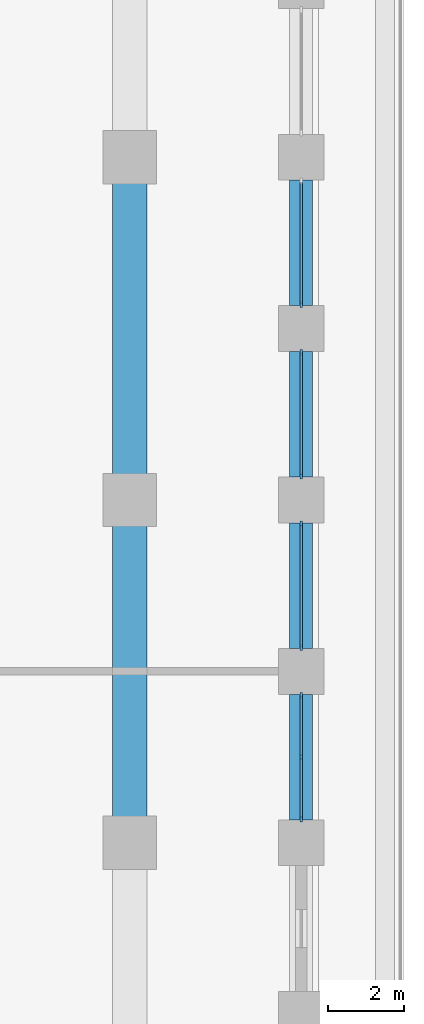
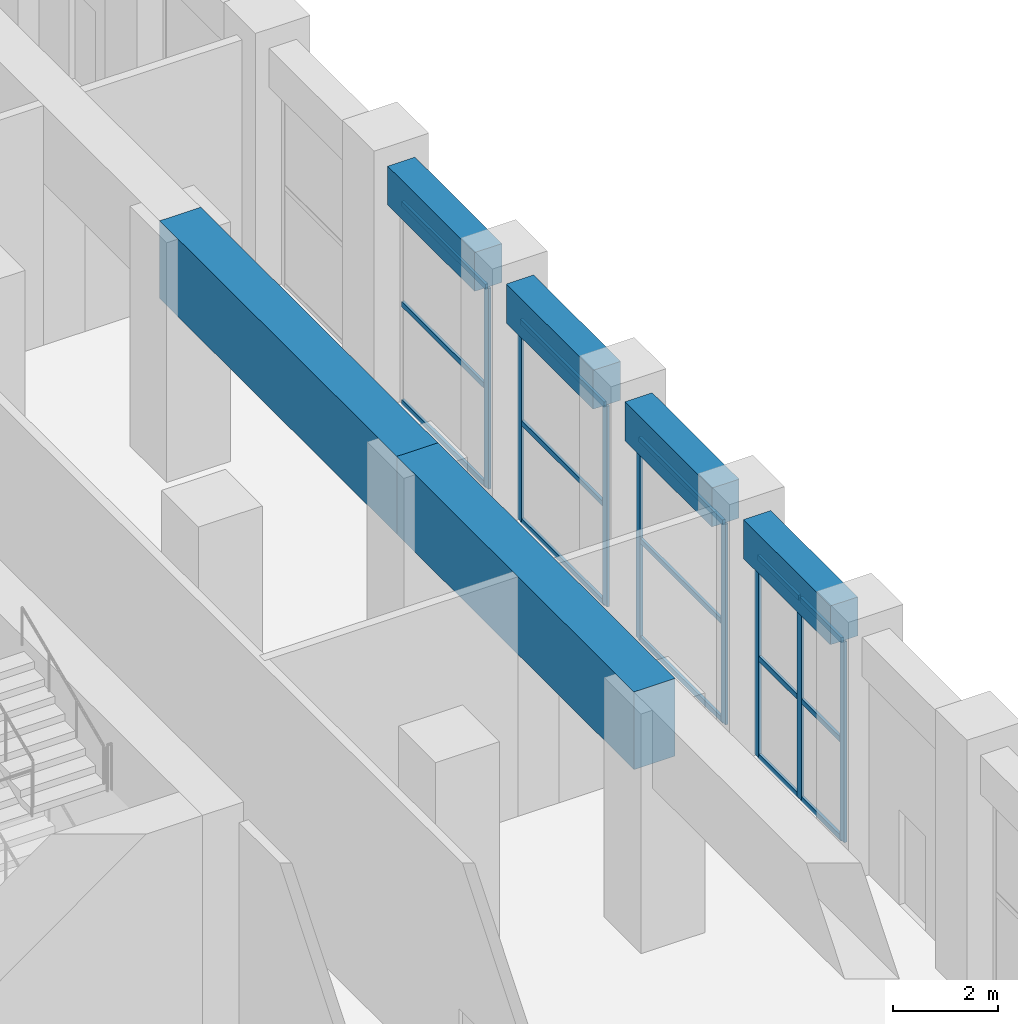
# One storey, part 5 of 24: 23 members, 6 beams, 4 elements without a shape of their own.
"""IFC4 building model written with IfcOpenShell, lengths in metres."""

from ifc_helpers import new_model, si_unit, direction, frame, origin, origin_2d, place, context, subcontext, project, spatial, rectangle, extrude, material, material_profile, profile_set, type_object, element, aggregate, save


model = new_model("IFC4")

# Units and contexts
model_context = context("Model", 3, precision=1e-05, world=origin(), true_north=direction((0.0, 1.0)))
body_context = subcontext(model_context, "Body", "Model", "MODEL_VIEW")
ifc_project = project(units=[si_unit("LENGTHUNIT", "METRE"), si_unit("AREAUNIT", "SQUARE_METRE"), si_unit("VOLUMEUNIT", "CUBIC_METRE"), si_unit("PLANEANGLEUNIT", "RADIAN"), si_unit("MASSUNIT", "GRAM", prefix="KILO")], contexts=[model_context])

# Site, building, storey
site_placement = place(None, origin())
site = spatial("IfcSite", under=ifc_project, at=site_placement, CompositionType="ELEMENT")
building_placement = place(site_placement, origin())
building = spatial("IfcBuilding", under=site, at=building_placement, Name="Corbel Stack Research Tower", CompositionType="ELEMENT")
storey_placement = place(building_placement, frame((0.0, 0.0, 110.699951171875)))
storey = spatial("IfcBuildingStorey", under=building, at=storey_placement, Name="L25", CompositionType="ELEMENT", Elevation=110.699951171875)

# Curtain wall, members
ifc_material_1 = material(Name="Aluminium frame, clear glass", Category="aluminium")
curtain_wall_type = type_object("IfcCurtainWallType", Name="Amenity floor curtain wall CW2", PredefinedType="NOTDEFINED", material=ifc_material_1)
curtain_wall_1_placement = place(storey_placement, origin())
curtain_wall_1 = element("IfcCurtainWall", 1, at=curtain_wall_1_placement, inside=storey, type_object=curtain_wall_type, Name="Curtain wall CW2 L25 E03", PredefinedType="NOTDEFINED")
ifc_material_2 = material(Name="Aluminium mullion", Category="aluminium")
ifc_material_profile_1 = material_profile(ifc_material_2, rectangle(XDim=0.06005859375, YDim=0.159912109375, at=origin_2d()), Name="Mullion 60 x 160")
ifc_profile_set_1 = profile_set([ifc_material_profile_1], Name="Aluminium mullion")
member_type_1 = type_object("IfcMemberType", Name="Curtain wall mullion 60 x 160", PredefinedType="MULLION", material=ifc_profile_set_1)
member_1_placement = place(storey_placement, frame((31.5, -8.3701171875, 0.0), z_axis=(0.0, 0.0, 1.0), x_axis=(-1.0, 0.0, 0.0)))
member_1 = element("IfcMember", 2, at=member_1_placement, type_object=member_type_1, Name="CW2 L25 E03 mullion 1", PredefinedType="MULLION", context=body_context, shape_type="SweptSolid", body=[
    extrude(rectangle(XDim=0.06005859375, YDim=0.159912109375, at=origin_2d()), origin(), (0.0, 0.0, 1.0), 4.650146484375),
])
member_2_placement = place(storey_placement, frame((31.5, -6.75, 0.0), z_axis=(0.0, 0.0, 1.0), x_axis=(-1.0, 0.0, 0.0)))
member_2 = element("IfcMember", 3, at=member_2_placement, type_object=member_type_1, Name="CW2 L25 E03 mullion 2", PredefinedType="MULLION", context=body_context, shape_type="SweptSolid", body=[
    extrude(rectangle(XDim=0.06005859375, YDim=0.159912109375, at=origin_2d()), origin(), (0.0, 0.0, 1.0), 4.650146484375),
])
member_3_placement = place(storey_placement, frame((31.5, -5.1298828125, 0.0), z_axis=(0.0, 0.0, 1.0), x_axis=(-1.0, 0.0, 0.0)))
member_3 = element("IfcMember", 4, at=member_3_placement, type_object=member_type_1, Name="CW2 L25 E03 mullion 3", PredefinedType="MULLION", context=body_context, shape_type="SweptSolid", body=[
    extrude(rectangle(XDim=0.06005859375, YDim=0.159912109375, at=origin_2d()), origin(), (0.0, 0.0, 1.0), 4.650146484375),
])

curtain_wall_2_placement = place(storey_placement, origin())
curtain_wall_2 = element("IfcCurtainWall", 5, at=curtain_wall_2_placement, inside=storey, type_object=curtain_wall_type, Name="Curtain wall CW2 L25 E04", PredefinedType="NOTDEFINED")
member_4_placement = place(storey_placement, frame((31.5, -3.8701171875, 0.0), z_axis=(0.0, 0.0, 1.0), x_axis=(-1.0, 0.0, 0.0)))
member_4 = element("IfcMember", 6, at=member_4_placement, type_object=member_type_1, Name="CW2 L25 E04 mullion 1", PredefinedType="MULLION", context=body_context, shape_type="SweptSolid", body=[
    extrude(rectangle(XDim=0.06005859375, YDim=0.159912109375, at=origin_2d()), origin(), (0.0, 0.0, 1.0), 4.650146484375),
])
member_5_placement = place(storey_placement, frame((31.5, -0.6298828125, 0.0), z_axis=(0.0, 0.0, 1.0), x_axis=(-1.0, 0.0, 0.0)))
member_5 = element("IfcMember", 7, at=member_5_placement, type_object=member_type_1, Name="CW2 L25 E04 mullion 2", PredefinedType="MULLION", context=body_context, shape_type="SweptSolid", body=[
    extrude(rectangle(XDim=0.06005859375, YDim=0.159912109375, at=origin_2d()), origin(), (0.0, 0.0, 1.0), 4.650146484375),
])

curtain_wall_3_placement = place(storey_placement, origin())
curtain_wall_3 = element("IfcCurtainWall", 8, at=curtain_wall_3_placement, inside=storey, type_object=curtain_wall_type, Name="Curtain wall CW2 L25 E05", PredefinedType="NOTDEFINED")
member_6_placement = place(storey_placement, frame((31.5, 0.6298828125, 0.0), z_axis=(0.0, 0.0, 1.0), x_axis=(-1.0, 0.0, 0.0)))
member_6 = element("IfcMember", 9, at=member_6_placement, type_object=member_type_1, Name="CW2 L25 E05 mullion 1", PredefinedType="MULLION", context=body_context, shape_type="SweptSolid", body=[
    extrude(rectangle(XDim=0.06005859375, YDim=0.159912109375, at=origin_2d()), origin(), (0.0, 0.0, 1.0), 4.650146484375),
])
member_7_placement = place(storey_placement, frame((31.5, 3.8701171875, 0.0), z_axis=(0.0, 0.0, 1.0), x_axis=(-1.0, 0.0, 0.0)))
member_7 = element("IfcMember", 10, at=member_7_placement, type_object=member_type_1, Name="CW2 L25 E05 mullion 2", PredefinedType="MULLION", context=body_context, shape_type="SweptSolid", body=[
    extrude(rectangle(XDim=0.06005859375, YDim=0.159912109375, at=origin_2d()), origin(), (0.0, 0.0, 1.0), 4.650146484375),
])

# Curtain wall, member
curtain_wall_4_placement = place(storey_placement, origin())
curtain_wall_4 = element("IfcCurtainWall", 11, at=curtain_wall_4_placement, inside=storey, type_object=curtain_wall_type, Name="Curtain wall CW2 L25 E06", PredefinedType="NOTDEFINED")
member_8_placement = place(storey_placement, frame((31.5, 5.1298828125, 0.0), z_axis=(0.0, 0.0, 1.0), x_axis=(-1.0, 0.0, 0.0)))
member_8 = element("IfcMember", 12, at=member_8_placement, type_object=member_type_1, Name="CW2 L25 E06 mullion 1", PredefinedType="MULLION", context=body_context, shape_type="SweptSolid", body=[
    extrude(rectangle(XDim=0.06005859375, YDim=0.159912109375, at=origin_2d()), origin(), (0.0, 0.0, 1.0), 4.650146484375),
])

# Member
ifc_material_3 = material(Name="Aluminium transom", Category="aluminium")
ifc_material_profile_2 = material_profile(ifc_material_3, rectangle(XDim=0.06005859375, YDim=0.1201171875, at=origin_2d()), Name="Transom 60 x 120")
ifc_profile_set_2 = profile_set([ifc_material_profile_2], Name="Aluminium transom")
member_type_2 = type_object("IfcMemberType", Name="Curtain wall transom 60 x 120", PredefinedType="USERDEFINED", material=ifc_profile_set_2)
member_9_placement = place(storey_placement, frame((31.5, -8.340087890625, 0.030029296875), z_axis=(0.0, 1.0, 0.0), x_axis=(-1.0, 0.0, 0.0)))
member_9 = element("IfcMember", 13, at=member_9_placement, type_object=member_type_2, Name="CW2 L25 E03 transom 1.1", ObjectType="TRANSOM", PredefinedType="USERDEFINED", context=body_context, shape_type="SweptSolid", body=[
    extrude(rectangle(XDim=0.06005859375, YDim=0.1201171875, at=origin_2d()), origin(), (0.0, 0.0, 1.0), 1.56005859375),
])

member_10_placement = place(storey_placement, frame((31.5, -8.340087890625, 2.300048828125), z_axis=(0.0, 1.0, 0.0), x_axis=(-1.0, 0.0, 0.0)))
member_10 = element("IfcMember", 14, at=member_10_placement, type_object=member_type_2, Name="CW2 L25 E03 transom 1.2", ObjectType="TRANSOM", PredefinedType="USERDEFINED", context=body_context, shape_type="SweptSolid", body=[
    extrude(rectangle(XDim=0.06005859375, YDim=0.1201171875, at=origin_2d()), origin(), (0.0, 0.0, 1.0), 1.56005859375),
])

member_11_placement = place(storey_placement, frame((31.5, -8.340087890625, 4.6201171875), z_axis=(0.0, 1.0, 0.0), x_axis=(-1.0, 0.0, 0.0)))
member_11 = element("IfcMember", 15, at=member_11_placement, type_object=member_type_2, Name="CW2 L25 E03 transom 1.3", ObjectType="TRANSOM", PredefinedType="USERDEFINED", context=body_context, shape_type="SweptSolid", body=[
    extrude(rectangle(XDim=0.06005859375, YDim=0.1201171875, at=origin_2d()), origin(), (0.0, 0.0, 1.0), 1.56005859375),
])

member_12_placement = place(storey_placement, frame((31.5, -6.719970703125, 0.030029296875), z_axis=(0.0, 1.0, 0.0), x_axis=(-1.0, 0.0, 0.0)))
member_12 = element("IfcMember", 16, at=member_12_placement, type_object=member_type_2, Name="CW2 L25 E03 transom 2.1", ObjectType="TRANSOM", PredefinedType="USERDEFINED", context=body_context, shape_type="SweptSolid", body=[
    extrude(rectangle(XDim=0.06005859375, YDim=0.1201171875, at=origin_2d()), origin(), (0.0, 0.0, 1.0), 1.56005859375),
])

member_13_placement = place(storey_placement, frame((31.5, -6.719970703125, 2.300048828125), z_axis=(0.0, 1.0, 0.0), x_axis=(-1.0, 0.0, 0.0)))
member_13 = element("IfcMember", 17, at=member_13_placement, type_object=member_type_2, Name="CW2 L25 E03 transom 2.2", ObjectType="TRANSOM", PredefinedType="USERDEFINED", context=body_context, shape_type="SweptSolid", body=[
    extrude(rectangle(XDim=0.06005859375, YDim=0.1201171875, at=origin_2d()), origin(), (0.0, 0.0, 1.0), 1.56005859375),
])

member_14_placement = place(storey_placement, frame((31.5, -6.719970703125, 4.6201171875), z_axis=(0.0, 1.0, 0.0), x_axis=(-1.0, 0.0, 0.0)))
member_14 = element("IfcMember", 18, at=member_14_placement, type_object=member_type_2, Name="CW2 L25 E03 transom 2.3", ObjectType="TRANSOM", PredefinedType="USERDEFINED", context=body_context, shape_type="SweptSolid", body=[
    extrude(rectangle(XDim=0.06005859375, YDim=0.1201171875, at=origin_2d()), origin(), (0.0, 0.0, 1.0), 1.56005859375),
])

aggregate(curtain_wall_1, [member_1, member_2, member_3, member_9, member_10, member_11, member_12, member_13, member_14])

member_15_placement = place(storey_placement, frame((31.5, -3.840087890625, 0.030029296875), z_axis=(0.0, 1.0, 0.0), x_axis=(-1.0, 0.0, 0.0)))
member_15 = element("IfcMember", 19, at=member_15_placement, type_object=member_type_2, Name="CW2 L25 E04 transom 1.1", ObjectType="TRANSOM", PredefinedType="USERDEFINED", context=body_context, shape_type="SweptSolid", body=[
    extrude(rectangle(XDim=0.06005859375, YDim=0.1201171875, at=origin_2d()), origin(), (0.0, 0.0, 1.0), 3.18017578125),
])

member_16_placement = place(storey_placement, frame((31.5, -3.840087890625, 2.300048828125), z_axis=(0.0, 1.0, 0.0), x_axis=(-1.0, 0.0, 0.0)))
member_16 = element("IfcMember", 20, at=member_16_placement, type_object=member_type_2, Name="CW2 L25 E04 transom 1.2", ObjectType="TRANSOM", PredefinedType="USERDEFINED", context=body_context, shape_type="SweptSolid", body=[
    extrude(rectangle(XDim=0.06005859375, YDim=0.1201171875, at=origin_2d()), origin(), (0.0, 0.0, 1.0), 3.18017578125),
])

member_17_placement = place(storey_placement, frame((31.5, -3.840087890625, 4.6201171875), z_axis=(0.0, 1.0, 0.0), x_axis=(-1.0, 0.0, 0.0)))
member_17 = element("IfcMember", 21, at=member_17_placement, type_object=member_type_2, Name="CW2 L25 E04 transom 1.3", ObjectType="TRANSOM", PredefinedType="USERDEFINED", context=body_context, shape_type="SweptSolid", body=[
    extrude(rectangle(XDim=0.06005859375, YDim=0.1201171875, at=origin_2d()), origin(), (0.0, 0.0, 1.0), 3.18017578125),
])

aggregate(curtain_wall_2, [member_4, member_5, member_15, member_16, member_17])

member_18_placement = place(storey_placement, frame((31.5, 0.659912109375, 0.030029296875), z_axis=(0.0, 1.0, 0.0), x_axis=(-1.0, 0.0, 0.0)))
member_18 = element("IfcMember", 22, at=member_18_placement, type_object=member_type_2, Name="CW2 L25 E05 transom 1.1", ObjectType="TRANSOM", PredefinedType="USERDEFINED", context=body_context, shape_type="SweptSolid", body=[
    extrude(rectangle(XDim=0.06005859375, YDim=0.1201171875, at=origin_2d()), origin(), (0.0, 0.0, 1.0), 3.18017578125),
])

member_19_placement = place(storey_placement, frame((31.5, 0.659912109375, 2.300048828125), z_axis=(0.0, 1.0, 0.0), x_axis=(-1.0, 0.0, 0.0)))
member_19 = element("IfcMember", 23, at=member_19_placement, type_object=member_type_2, Name="CW2 L25 E05 transom 1.2", ObjectType="TRANSOM", PredefinedType="USERDEFINED", context=body_context, shape_type="SweptSolid", body=[
    extrude(rectangle(XDim=0.06005859375, YDim=0.1201171875, at=origin_2d()), origin(), (0.0, 0.0, 1.0), 3.18017578125),
])

member_20_placement = place(storey_placement, frame((31.5, 0.659912109375, 4.6201171875), z_axis=(0.0, 1.0, 0.0), x_axis=(-1.0, 0.0, 0.0)))
member_20 = element("IfcMember", 24, at=member_20_placement, type_object=member_type_2, Name="CW2 L25 E05 transom 1.3", ObjectType="TRANSOM", PredefinedType="USERDEFINED", context=body_context, shape_type="SweptSolid", body=[
    extrude(rectangle(XDim=0.06005859375, YDim=0.1201171875, at=origin_2d()), origin(), (0.0, 0.0, 1.0), 3.18017578125),
])

aggregate(curtain_wall_3, [member_6, member_7, member_18, member_19, member_20])

member_21_placement = place(storey_placement, frame((31.5, 5.159912109375, 0.030029296875), z_axis=(0.0, 1.0, 0.0), x_axis=(-1.0, 0.0, 0.0)))
member_21 = element("IfcMember", 25, at=member_21_placement, type_object=member_type_2, Name="CW2 L25 E06 transom 1.1", ObjectType="TRANSOM", PredefinedType="USERDEFINED", context=body_context, shape_type="SweptSolid", body=[
    extrude(rectangle(XDim=0.06005859375, YDim=0.1201171875, at=origin_2d()), origin(), (0.0, 0.0, 1.0), 3.18017578125),
])

member_22_placement = place(storey_placement, frame((31.5, 5.159912109375, 2.300048828125), z_axis=(0.0, 1.0, 0.0), x_axis=(-1.0, 0.0, 0.0)))
member_22 = element("IfcMember", 26, at=member_22_placement, type_object=member_type_2, Name="CW2 L25 E06 transom 1.2", ObjectType="TRANSOM", PredefinedType="USERDEFINED", context=body_context, shape_type="SweptSolid", body=[
    extrude(rectangle(XDim=0.06005859375, YDim=0.1201171875, at=origin_2d()), origin(), (0.0, 0.0, 1.0), 3.18017578125),
])

member_23_placement = place(storey_placement, frame((31.5, 5.159912109375, 4.6201171875), z_axis=(0.0, 1.0, 0.0), x_axis=(-1.0, 0.0, 0.0)))
member_23 = element("IfcMember", 27, at=member_23_placement, type_object=member_type_2, Name="CW2 L25 E06 transom 1.3", ObjectType="TRANSOM", PredefinedType="USERDEFINED", context=body_context, shape_type="SweptSolid", body=[
    extrude(rectangle(XDim=0.06005859375, YDim=0.1201171875, at=origin_2d()), origin(), (0.0, 0.0, 1.0), 3.18017578125),
])

aggregate(curtain_wall_4, [member_8, member_21, member_22, member_23])

# Beams
ifc_material_4 = material(Name="Concrete C60/75", Category="concrete")
ifc_material_profile_3 = material_profile(ifc_material_4, rectangle(XDim=0.60009765625, YDim=0.89990234375, at=origin_2d()), Name="RC 600 x 900")
ifc_profile_set_3 = profile_set([ifc_material_profile_3], Name="Concrete C60/75")
beam_type_1 = type_object("IfcBeamType", Name="SB-600-900-450", PredefinedType="SPANDREL", material=ifc_profile_set_3)
for number, where, z_axis, x_axis, name in (
    (28, (31.5, -8.39990234375, 5.10009765625), (0.0, 1.0, 0.0), (-1.0, 0.0, 0.0), "Spandrel beam L25-14"),
    (29, (31.5, -3.89990234375, 5.10009765625), (0.0, 1.0, 0.0), (-1.0, 0.0, 0.0), "Spandrel beam L25-15"),
    (30, (31.5, 0.60009765625, 5.10009765625), (0.0, 1.0, 0.0), (-1.0, 0.0, 0.0), "Spandrel beam L25-16"),
    (31, (31.5, 5.10009765625, 5.10009765625), (0.0, 1.0, 0.0), (-1.0, 0.0, 0.0), "Spandrel beam L25-17"),
):
    element("IfcBeam", number, at=place(storey_placement, frame(where, z_axis=z_axis, x_axis=x_axis)), inside=storey, type_object=beam_type_1, Name=name, PredefinedType="SPANDREL", context=body_context, shape_type="SweptSolid", body=[
        extrude(rectangle(XDim=0.60009765625, YDim=0.89990234375, at=origin_2d()), origin(), (0.0, 0.0, 1.0), 3.2998046875),
    ])
ifc_material_5 = material(Name="Concrete C60/75", Category="concrete")
ifc_material_profile_4 = material_profile(ifc_material_5, rectangle(XDim=0.89990234375, YDim=1.800048828125, at=origin_2d()), Name="RC 900 x 1800")
ifc_profile_set_4 = profile_set([ifc_material_profile_4], Name="Concrete C60/75")
beam_type_2 = type_object("IfcBeamType", Name="TG-900-1800", PredefinedType="BEAM", material=ifc_profile_set_4)
for number, where, z_axis, x_axis, name in (
    (32, (27.0, -9.0, 4.650146484375), (0.0, 1.0, 0.0), (-1.0, 0.0, 0.0), "Transfer girder along the step L25 El-9"),
    (33, (27.0, 0.0, 4.650146484375), (0.0, 1.0, 0.0), (-1.0, 0.0, 0.0), "Transfer girder along the step L25 El0"),
):
    element("IfcBeam", number, at=place(storey_placement, frame(where, z_axis=z_axis, x_axis=x_axis)), inside=storey, type_object=beam_type_2, Name=name, PredefinedType="BEAM", context=body_context, shape_type="SweptSolid", body=[
        extrude(rectangle(XDim=0.89990234375, YDim=1.800048828125, at=origin_2d()), origin(), (0.0, 0.0, 1.0), 9.0),
    ])

save(model, "model.ifc")
